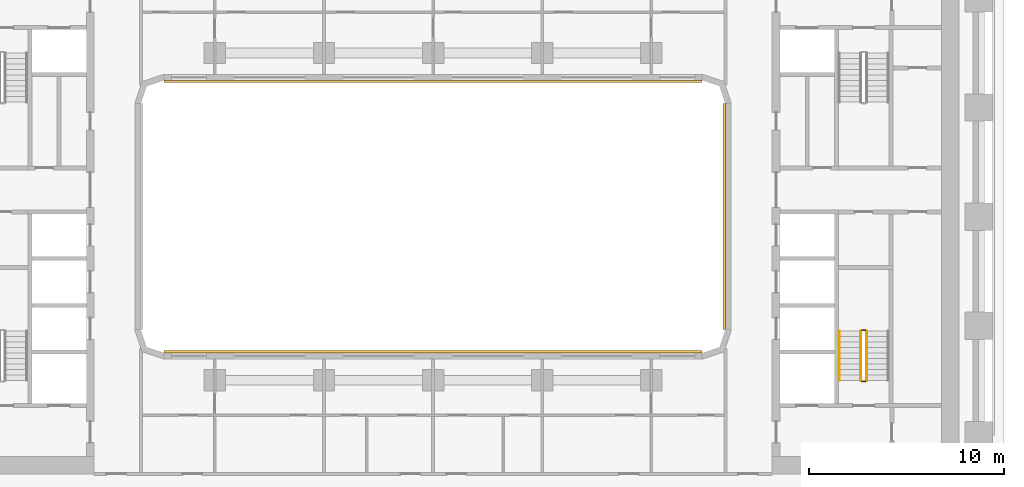
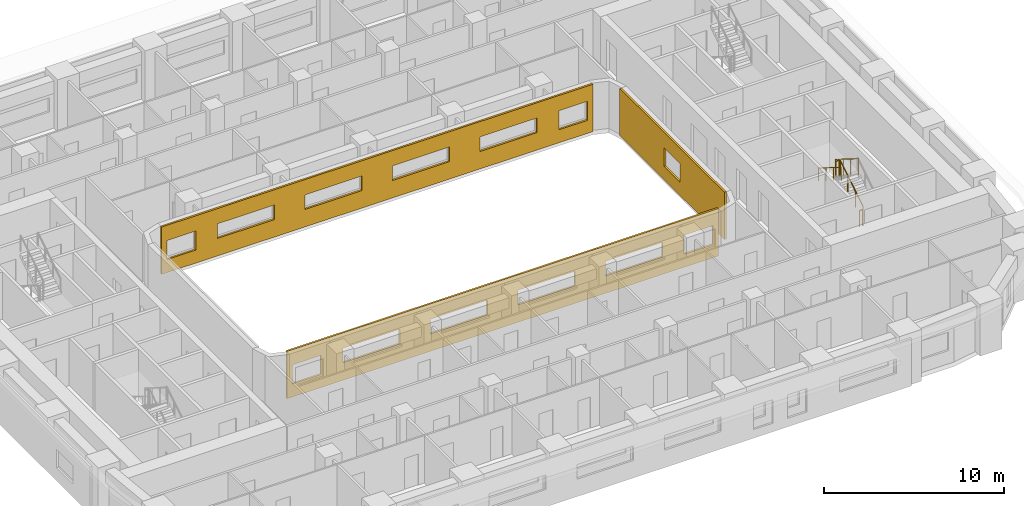
# One storey, part 17 of 22: 5 railings, 3 coverings.
"""IFC4 building model written with IfcOpenShell, lengths in metres."""

from ifc_helpers import new_model, si_unit, direction, frame, origin, origin_2d, place, context, subcontext, project, spatial, polyline, circle, outline, extrude, material, layer, layer_set, type_object, element, save


model = new_model("IFC4")

# Units and contexts
model_context = context("Model", 3, precision=1e-05, world=origin(), true_north=direction((0.0, 1.0)))
body_context = subcontext(model_context, "Body", "Model", "MODEL_VIEW")
ifc_project = project(units=[si_unit("LENGTHUNIT", "METRE"), si_unit("AREAUNIT", "SQUARE_METRE"), si_unit("VOLUMEUNIT", "CUBIC_METRE"), si_unit("PLANEANGLEUNIT", "RADIAN"), si_unit("MASSUNIT", "GRAM", prefix="KILO")], contexts=[model_context])

# Site, building, storey
site_placement = place(None, origin())
site = spatial("IfcSite", under=ifc_project, at=site_placement, CompositionType="ELEMENT")
building_placement = place(site_placement, origin())
building = spatial("IfcBuilding", under=site, at=building_placement, Name="Kiln Ring Residences", CompositionType="ELEMENT")
storey_placement = place(building_placement, frame((0.0, 0.0, 65.5)))
storey = spatial("IfcBuildingStorey", under=building, at=storey_placement, Name="L16", CompositionType="ELEMENT", Elevation=65.5)

# Railings
ifc_material_1 = material(Name="Stainless steel", Category="steel")
railing_type_1 = type_object("IfcRailingType", Name="CORE-STAIR-GUARD", PredefinedType="GUARDRAIL", material=ifc_material_1)
railing_1_placement = place(storey_placement, frame((22.25, -8.39990234375, 0.175048828125)))
element("IfcRailing", 1, at=railing_1_placement, inside=storey, type_object=railing_type_1, Name="L16 E-STS stair guard 1", PredefinedType="GUARDRAIL", context=body_context, shape_type="SweptSolid", body=[
    extrude(circle(Radius=0.02392578125, at=origin_2d()), frame((0.0, 0.0, 1.076171875), z_axis=(0.0, 0.848007534815, 0.529984170421), x_axis=(-1.0, 0.0, 0.0)), (0.0, 0.0, 1.0), 2.9716796875),
    extrude(circle(Radius=0.02099609375, at=origin_2d()), origin(), (0.0, 0.0, 1.0), 1.052001953125),
    extrude(circle(Radius=0.02099609375, at=origin_2d()), frame((0.0, 0.840087890625, 0.52490234375)), (0.0, 0.0, 1.0), 1.052001953125),
    extrude(circle(Radius=0.02099609375, at=origin_2d()), frame((0.0, 1.679931640625, 1.050048828125)), (0.0, 0.0, 1.0), 1.052001953125),
    extrude(circle(Radius=0.02099609375, at=origin_2d()), frame((0.0, 2.52001953125, 1.574951171875)), (0.0, 0.0, 1.0), 1.052001953125),
])
railing_2_placement = place(storey_placement, frame((22.199951171875, -5.830078125, 1.75)))
element("IfcRailing", 2, at=railing_2_placement, inside=storey, type_object=railing_type_1, Name="L16 E-STS stair guard 2", PredefinedType="GUARDRAIL", context=body_context, shape_type="SweptSolid", body=[
    extrude(circle(Radius=0.02392578125, at=origin_2d()), frame((0.0, 0.0, 1.076171875), z_axis=(-1.0, 0.0, 0.0), x_axis=(0.0, -1.0, 0.0)), (0.0, 0.0, 1.0), 0.199951171875),
    extrude(circle(Radius=0.02099609375, at=origin_2d()), origin(), (0.0, 0.0, 1.0), 1.052001953125),
    extrude(circle(Radius=0.02099609375, at=origin_2d()), frame((-0.199951171875, 0.0, 0.0)), (0.0, 0.0, 1.0), 1.052001953125),
])
railing_3_placement = place(storey_placement, frame((21.949951171875, -5.8798828125, 1.925048828125)))
element("IfcRailing", 3, at=railing_3_placement, inside=storey, type_object=railing_type_1, Name="L16 E-STS stair guard 3", PredefinedType="GUARDRAIL", context=body_context, shape_type="SweptSolid", body=[
    extrude(circle(Radius=0.02392578125, at=origin_2d()), frame((0.0, 0.0, 1.076171875), z_axis=(0.0, -0.848007534815, 0.529984170421), x_axis=(1.0, 0.0, 0.0)), (0.0, 0.0, 1.0), 2.9716796875),
    extrude(circle(Radius=0.02099609375, at=origin_2d()), origin(), (0.0, 0.0, 1.0), 1.052001953125),
    extrude(circle(Radius=0.02099609375, at=origin_2d()), frame((0.0, -0.840087890625, 0.52490234375)), (0.0, 0.0, 1.0), 1.052001953125),
    extrude(circle(Radius=0.02099609375, at=origin_2d()), frame((0.0, -1.679931640625, 1.050048828125)), (0.0, 0.0, 1.0), 1.052001953125),
    extrude(circle(Radius=0.02099609375, at=origin_2d()), frame((0.0, -2.52001953125, 1.574951171875)), (0.0, 0.0, 1.0), 1.052001953125),
])
railing_4_placement = place(storey_placement, frame((22.199951171875, -8.449951171875, 0.0)))
element("IfcRailing", 4, at=railing_4_placement, inside=storey, type_object=railing_type_1, Name="L16 E-STS stair guard 4", PredefinedType="GUARDRAIL", context=body_context, shape_type="SweptSolid", body=[
    extrude(circle(Radius=0.02392578125, at=origin_2d()), frame((0.0, 0.0, 1.076171875), z_axis=(-1.0, 0.0, 0.0), x_axis=(0.0, -1.0, 0.0)), (0.0, 0.0, 1.0), 0.199951171875),
    extrude(circle(Radius=0.02099609375, at=origin_2d()), origin(), (0.0, 0.0, 1.0), 1.052001953125),
    extrude(circle(Radius=0.02099609375, at=origin_2d()), frame((-0.199951171875, 0.0, 0.0)), (0.0, 0.0, 1.0), 1.052001953125),
])
ifc_material_2 = material(Name="Stainless steel", Category="steel")
railing_type_2 = type_object("IfcRailingType", Name="CORE-STAIR-HANDRAIL", PredefinedType="HANDRAIL", material=ifc_material_2)
railing_5_placement = place(storey_placement, frame((20.85009765625, -5.8798828125, 1.925048828125)))
element("IfcRailing", 5, at=railing_5_placement, inside=storey, type_object=railing_type_2, Name="L16 E-STS stair handrail 2", PredefinedType="HANDRAIL", context=body_context, shape_type="SweptSolid", body=[
    extrude(circle(Radius=0.02392578125, at=origin_2d()), frame((0.0, 0.0, 0.8759765625), z_axis=(0.0, -0.848007534815, 0.529984170421), x_axis=(1.0, 0.0, 0.0)), (0.0, 0.0, 1.0), 2.9716796875),
    extrude(circle(Radius=0.02099609375, at=origin_2d()), origin(), (0.0, 0.0, 1.0), 0.851806640625),
    extrude(circle(Radius=0.02099609375, at=origin_2d()), frame((0.0, -0.840087890625, 0.52490234375)), (0.0, 0.0, 1.0), 0.851806640625),
    extrude(circle(Radius=0.02099609375, at=origin_2d()), frame((0.0, -1.679931640625, 1.050048828125)), (0.0, 0.0, 1.0), 0.851806640625),
    extrude(circle(Radius=0.02099609375, at=origin_2d()), frame((0.0, -2.52001953125, 1.574951171875)), (0.0, 0.0, 1.0), 0.851806640625),
])

# Coverings
ifc_material_3 = material(Name="Brick masonry, dark clay brick", Category="masonry")
ifc_layer = layer(ifc_material_3, 0.1201171875)
ifc_layer_set = layer_set([ifc_layer], Name="RAINSCREEN PANEL 120")
covering_type = type_object("IfcCoveringType", Name="RAINSCREEN PANEL 120", PredefinedType="CLADDING", material=ifc_layer_set)
covering_1_placement = place(storey_placement, frame((-13.800048828125, 6.93994140625, 0.0), z_axis=(0.0, 0.0, 1.0), x_axis=(1.0, 0.0, 0.0)))
element("IfcCovering", 6, at=covering_1_placement, inside=storey, type_object=covering_type, Name="RAINSCREEN L16", PredefinedType="CLADDING", context=body_context, shape_type="SweptSolid", body=[
    extrude(outline(polyline([(0.0, 0.0), (27.60009765625, 0.0), (27.60009765625, 3.199951171875), (0.0, 3.199951171875), (0.0, 0.0)]), holes=[polyline([(2.1826171875, 0.8798828125), (2.1826171875, 2.169921875), (0.342529296875, 2.169921875), (0.342529296875, 0.8798828125), (2.1826171875, 0.8798828125)]), polyline([(25.41748046875, 0.8798828125), (27.257568359375, 0.8798828125), (27.257568359375, 2.169921875), (25.41748046875, 2.169921875), (25.41748046875, 0.8798828125)]), polyline([(3.580078125, 1.179931640625), (7.219970703125, 1.179931640625), (7.219970703125, 2.169921875), (3.580078125, 2.169921875), (3.580078125, 1.179931640625)]), polyline([(12.820068359375, 1.179931640625), (12.820068359375, 2.169921875), (9.179931640625, 2.169921875), (9.179931640625, 1.179931640625), (12.820068359375, 1.179931640625)]), polyline([(14.780029296875, 1.179931640625), (18.419921875, 1.179931640625), (18.419921875, 2.169921875), (14.780029296875, 2.169921875), (14.780029296875, 1.179931640625)]), polyline([(20.3798828125, 1.179931640625), (24.02001953125, 1.179931640625), (24.02001953125, 2.169921875), (20.3798828125, 2.169921875), (20.3798828125, 1.179931640625)])]), frame((0.0, 0.06005859375, 0.0), z_axis=(0.0, -1.0, 0.0), x_axis=(1.0, 0.0, 0.0)), (0.0, 0.0, 1.0), 0.1201171875),
])
covering_2_placement = place(storey_placement, frame((14.93994140625, 5.800048828125, 0.0), z_axis=(0.0, 0.0, 1.0), x_axis=(0.0, -1.0, 0.0)))
element("IfcCovering", 7, at=covering_2_placement, inside=storey, type_object=covering_type, Name="RAINSCREEN L16", PredefinedType="CLADDING", context=body_context, shape_type="SweptSolid", body=[
    extrude(outline(polyline([(0.0, 0.0), (11.60009765625, 0.0), (11.60009765625, 3.199951171875), (0.0, 3.199951171875), (0.0, 0.0)]), holes=[polyline([(4.89990234375, 2.14990234375), (4.89990234375, 0.89990234375), (6.699951171875, 0.89990234375), (6.699951171875, 2.14990234375), (4.89990234375, 2.14990234375)])]), frame((0.0, 0.06005859375, 0.0), z_axis=(0.0, -1.0, 0.0), x_axis=(1.0, 0.0, 0.0)), (0.0, 0.0, 1.0), 0.1201171875),
])
covering_3_placement = place(storey_placement, frame((13.800048828125, -6.93994140625, 0.0), z_axis=(0.0, 0.0, 1.0), x_axis=(-1.0, 0.0, 0.0)))
element("IfcCovering", 8, at=covering_3_placement, inside=storey, type_object=covering_type, Name="RAINSCREEN L16", PredefinedType="CLADDING", context=body_context, shape_type="SweptSolid", body=[
    extrude(outline(polyline([(0.0, 0.0), (27.60009765625, 0.0), (27.60009765625, 3.199951171875), (0.0, 3.199951171875), (0.0, 0.0)]), holes=[polyline([(2.1826171875, 0.8798828125), (2.1826171875, 2.169921875), (0.342529296875, 2.169921875), (0.342529296875, 0.8798828125), (2.1826171875, 0.8798828125)]), polyline([(25.41748046875, 0.8798828125), (27.257568359375, 0.8798828125), (27.257568359375, 2.169921875), (25.41748046875, 2.169921875), (25.41748046875, 0.8798828125)]), polyline([(3.580078125, 1.179931640625), (7.219970703125, 1.179931640625), (7.219970703125, 2.169921875), (3.580078125, 2.169921875), (3.580078125, 1.179931640625)]), polyline([(12.820068359375, 1.179931640625), (12.820068359375, 2.169921875), (9.179931640625, 2.169921875), (9.179931640625, 1.179931640625), (12.820068359375, 1.179931640625)]), polyline([(14.780029296875, 1.179931640625), (18.419921875, 1.179931640625), (18.419921875, 2.169921875), (14.780029296875, 2.169921875), (14.780029296875, 1.179931640625)]), polyline([(20.3798828125, 1.179931640625), (24.02001953125, 1.179931640625), (24.02001953125, 2.169921875), (20.3798828125, 2.169921875), (20.3798828125, 1.179931640625)])]), frame((0.0, 0.06005859375, 0.0), z_axis=(0.0, -1.0, 0.0), x_axis=(1.0, 0.0, 0.0)), (0.0, 0.0, 1.0), 0.1201171875),
])

save(model, "model.ifc")
